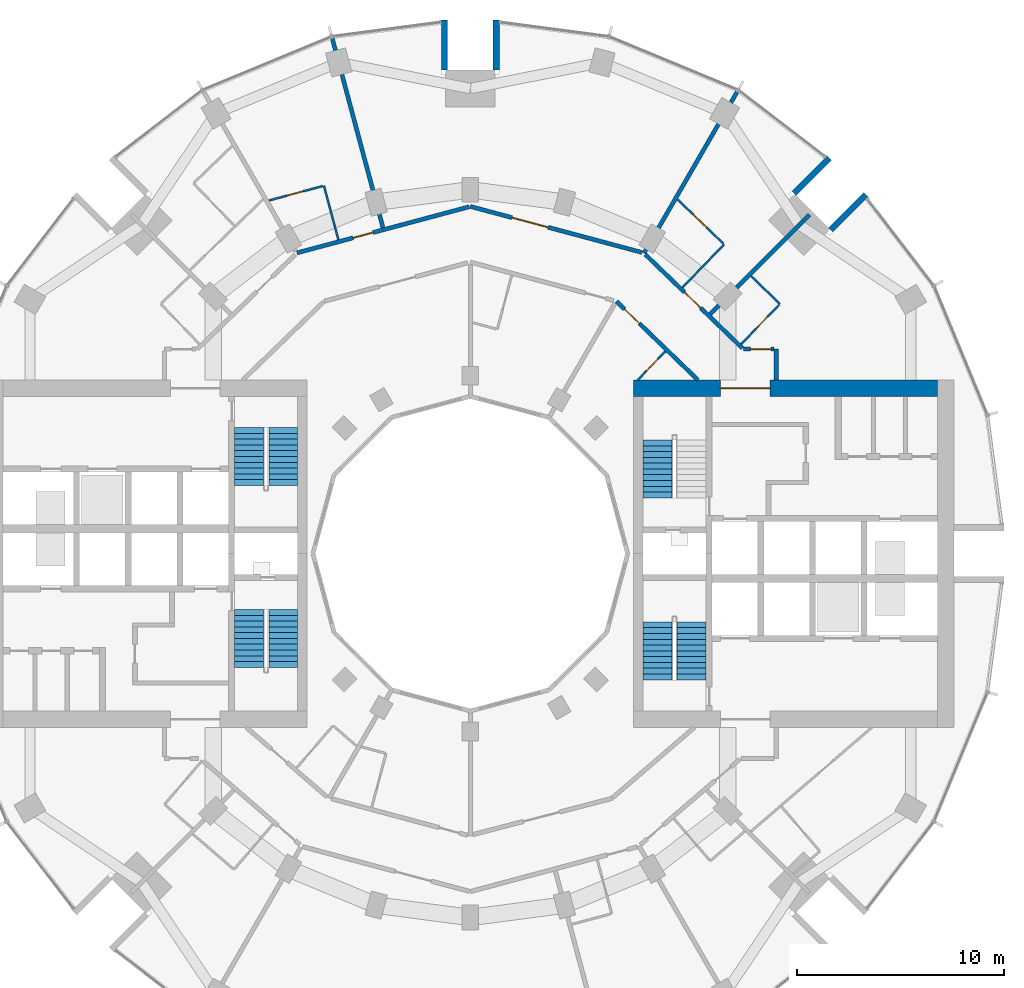
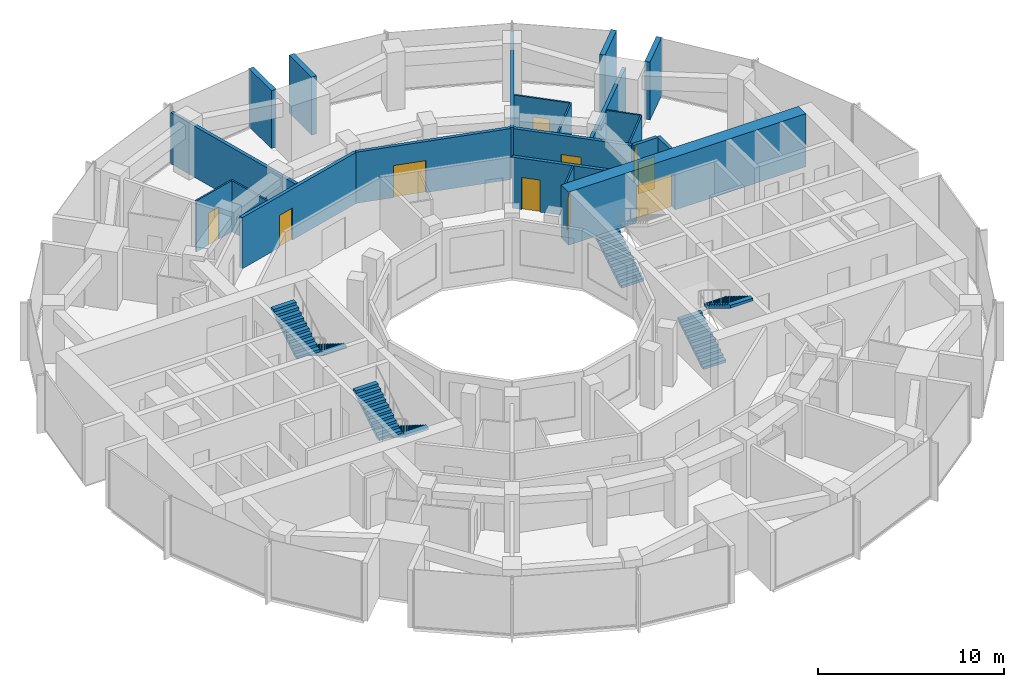
# One storey, part 12 of 15: 21 walls, 10 doors, 7 stair flights, 10 openings, 4 elements without a shape of their own.
"""IFC4 building model written with IfcOpenShell, lengths in metres."""

from ifc_helpers import new_model, si_unit, direction, frame, frame_2d, origin, place, context, subcontext, project, spatial, polyline, rectangle, outline, extrude, material, layer, layer_set, type_object, element, fill, aggregate, save


model = new_model("IFC4")

# Units and contexts
model_context = context("Model", 3, precision=1e-05, world=origin(), true_north=direction((0.0, 1.0)))
body_context = subcontext(model_context, "Body", "Model", "MODEL_VIEW")
ifc_project = project(units=[si_unit("LENGTHUNIT", "METRE"), si_unit("AREAUNIT", "SQUARE_METRE"), si_unit("VOLUMEUNIT", "CUBIC_METRE"), si_unit("PLANEANGLEUNIT", "RADIAN"), si_unit("MASSUNIT", "GRAM", prefix="KILO")], contexts=[model_context])

# Site, building, storey
site_placement = place(None, origin())
site = spatial("IfcSite", under=ifc_project, at=site_placement, CompositionType="ELEMENT")
building_placement = place(site_placement, origin())
building = spatial("IfcBuilding", under=site, at=building_placement, Name="Torre Brocal", CompositionType="ELEMENT")
storey_placement = place(building_placement, frame((0.0, 0.0, 93.800048828125)))
storey = spatial("IfcBuildingStorey", under=building, at=storey_placement, Name="L21", CompositionType="ELEMENT", Elevation=93.800048828125)

# Wall, opening, door
ifc_material_1 = material(Name="Concrete C80", Category="concrete")
ifc_layer_1 = layer(ifc_material_1, 0.800048828125)
ifc_layer_set_1 = layer_set([ifc_layer_1], Name="Concrete C80")
wall_type_1 = type_object("IfcWallType", Name="CORE WALL 800 C80", PredefinedType="SHEAR", material=ifc_layer_set_1)
wall_1_placement = place(storey_placement, frame((87.89990234375, 83.0, 0.0), z_axis=(0.0, 0.0, 1.0), x_axis=(1.0, 0.0, 0.0)))
wall_1 = element("IfcWall", 1, at=wall_1_placement, inside=storey, type_object=wall_type_1, Name="Wall CW800-80", PredefinedType="SHEAR", context=body_context, shape_type="SweptSolid", body=[
    extrude(rectangle(XDim=14.7001953125, YDim=0.800048828125, at=frame_2d((7.35009765625, 0.0))), origin(), (0.0, 0.0, 1.0), 3.47998046875),
])
opening_1_placement = place(wall_1_placement, frame((4.199951171875, 0.0, 0.0)))
opening_1 = element("IfcOpeningElement", 2, at=opening_1_placement, cuts=wall_1, Name="Opening E-D27", PredefinedType="OPENING", context=body_context, shape_type="SweptSolid", body=[
    extrude(rectangle(XDim=2.39990234375, YDim=2.39990234375, at=frame_2d((1.199951171875, 1.199951171875))), frame((0.0, 0.409912109375, 0.0), z_axis=(0.0, -1.0, 0.0), x_axis=(1.0, 0.0, 0.0)), (0.0, 0.0, 1.0), 0.820068359375),
])
ifc_material_2 = material(Name="Steel A653", Category="steel")
door_type_1 = type_object("IfcDoorType", Name="DOUBLE FIRE DOOR FD90 2400X2400", OperationType="DOUBLE_DOOR_SINGLE_SWING", PredefinedType="DOOR", material=ifc_material_2)
door_1_placement = place(opening_1_placement, frame((2.39990234375, 0.0, 0.0), z_axis=(0.0, 0.0, 1.0), x_axis=(-1.0, 0.0, 0.0)))
door_1 = element("IfcDoor", 3, at=door_1_placement, inside=storey, type_object=door_type_1, Name="Door E-D27", OperationType="DOUBLE_DOOR_SINGLE_SWING", OverallHeight=2.39990234375, OverallWidth=2.39990234375, PredefinedType="DOOR", context=body_context, shape_type="SweptSolid", body=[
    extrude(rectangle(XDim=2.39990234375, YDim=2.39990234375, at=frame_2d((1.199951171875, 1.199951171875))), frame((0.0, 0.02490234375, 0.0), z_axis=(0.0, -1.0, 0.0), x_axis=(1.0, 0.0, 0.0)), (0.0, 0.0, 1.0), 0.050048828125),
])
fill(opening_1, door_1)

# Walls
ifc_material_3 = material(Name="Concrete C80", Category="concrete")
ifc_layer_2 = layer(ifc_material_3, 0.300048828125)
ifc_layer_set_2 = layer_set([ifc_layer_2], Name="Concrete C80")
wall_type_2 = type_object("IfcWallType", Name="NOTCH RETURN WALL 300 C80", PredefinedType="NOTDEFINED", material=ifc_layer_set_2)
for number, where, z_axis, x_axis, name in (
    (4, (97.43017578125, 90.662353515625, 0.0), (0.0, 0.0, 1.0), (0.707106781187, 0.707106781187, 0.0), "NOTCH RETURN WALL"),
    (5, (95.662353515625, 92.43017578125, 0.0), (0.0, 0.0, 1.0), (0.707106781187, 0.707106781187, 0.0), "NOTCH RETURN WALL"),
    (6, (81.25, 98.39990234375, 0.0), (0.0, 0.0, 1.0), (0.0, 1.0, 0.0), "NOTCH RETURN WALL"),
    (7, (78.75, 98.39990234375, 0.0), (0.0, 0.0, 1.0), (0.0, 1.0, 0.0), "NOTCH RETURN WALL"),
):
    element("IfcWall", number, at=place(storey_placement, frame(where, z_axis=z_axis, x_axis=x_axis)), inside=storey, type_object=wall_type_2, Name=name, PredefinedType="NOTDEFINED", context=body_context, shape_type="SweptSolid", body=[
        extrude(rectangle(XDim=2.415771484375, YDim=0.300048828125, at=frame_2d((1.2080078125, 0.0))), origin(), (0.0, 0.0, 1.0), 3.800048828125),
    ])

# Wall, opening, door
ifc_material_4 = material(Name="Gypsum board", Category="Gypsum")
ifc_layer_3 = layer(ifc_material_4, 0.10009765625)
ifc_layer_set_3 = layer_set([ifc_layer_3], Name="Gypsum board")
wall_type_3 = type_object("IfcWallType", Name="PARTITION 100", PredefinedType="PARTITIONING", material=ifc_layer_set_3)
wall_2_placement = place(storey_placement, frame((70.267822265625, 92.087158203125, 0.0), z_axis=(0.0, 0.0, 1.0), x_axis=(0.965937937835, 0.258773839966, 0.0)))
wall_2 = element("IfcWall", 8, at=wall_2_placement, inside=storey, type_object=wall_type_3, Name="BATHROOM WALL", PredefinedType="PARTITIONING", context=body_context, shape_type="SweptSolid", body=[
    extrude(rectangle(XDim=2.693603515625, YDim=0.10009765625, at=frame_2d((1.3466796875, 0.0))), origin(), (0.0, 0.0, 1.0), 3.349853515625),
])
opening_2_placement = place(wall_2_placement, frame((0.911865234375, 0.0, 0.0)))
opening_2 = element("IfcOpeningElement", 9, at=opening_2_placement, cuts=wall_2, Name="Opening H06-D07", PredefinedType="OPENING", context=body_context, shape_type="SweptSolid", body=[
    extrude(rectangle(XDim=0.800048828125, YDim=2.10009765625, at=frame_2d((0.39990234375, 1.050048828125))), frame((0.0, 0.06005859375, 0.0), z_axis=(0.0, -1.0, 0.0), x_axis=(1.0, 0.0, 0.0)), (0.0, 0.0, 1.0), 0.1201171875),
])
ifc_material_5 = material(Name="Timber", Category="wood")
door_type_2 = type_object("IfcDoorType", Name="BATHROOM DOOR 800X2100", OperationType="SINGLE_SWING_LEFT", PredefinedType="DOOR", material=ifc_material_5)
door_2_placement = place(opening_2_placement, frame((0.800048828125, 0.0, 0.0), z_axis=(0.0, 0.0, 1.0), x_axis=(-1.0, 0.0, 0.0)))
door_2 = element("IfcDoor", 10, at=door_2_placement, inside=storey, type_object=door_type_2, Name="H06-D07", OperationType="SINGLE_SWING_RIGHT", OverallHeight=2.10009765625, OverallWidth=0.800048828125, PredefinedType="DOOR", context=body_context, shape_type="SweptSolid", body=[
    extrude(rectangle(XDim=0.800048828125, YDim=2.10009765625, at=frame_2d((0.39990234375, 1.050048828125))), frame((0.0, 0.02490234375, 0.0), z_axis=(0.0, -1.0, 0.0), x_axis=(1.0, 0.0, 0.0)), (0.0, 0.0, 1.0), 0.050048828125),
])
fill(opening_2, door_2)

# Wall
wall_3_placement = place(storey_placement, frame((72.91796875, 92.797119140625, 0.0), z_axis=(0.0, 0.0, 1.0), x_axis=(0.25867580527, -0.965964195904, 0.0)))
element("IfcWall", 11, at=wall_3_placement, inside=storey, type_object=wall_type_3, Name="BATHROOM WALL", PredefinedType="PARTITIONING", context=body_context, shape_type="SweptSolid", body=[
    extrude(rectangle(XDim=2.69921875, YDim=0.10009765625, at=frame_2d((1.349609375, 0.0))), origin(), (0.0, 0.0, 1.0), 3.349853515625),
])

# Wall, opening, door
wall_4_placement = place(storey_placement, frame((88.094970703125, 83.39990234375, 0.0), z_axis=(0.0, 0.0, 1.0), x_axis=(0.694447472534, 0.719543402368, 0.0)))
wall_4 = element("IfcWall", 12, at=wall_4_placement, inside=storey, type_object=wall_type_3, Name="BATHROOM WALL", PredefinedType="PARTITIONING", context=body_context, shape_type="SweptSolid", body=[
    extrude(rectangle(XDim=1.92626953125, YDim=0.10009765625, at=frame_2d((0.963134765625, 0.0))), origin(), (0.0, 0.0, 1.0), 3.349853515625),
])
opening_3_placement = place(wall_4_placement, frame((0.613037109375, 0.0, 0.0)))
opening_3 = element("IfcOpeningElement", 13, at=opening_3_placement, cuts=wall_4, Name="Opening H06-D14", PredefinedType="OPENING", context=body_context, shape_type="SweptSolid", body=[
    extrude(rectangle(XDim=0.800048828125, YDim=2.10009765625, at=frame_2d((0.39990234375, 1.050048828125))), frame((0.0, 0.06005859375, 0.0), z_axis=(0.0, -1.0, 0.0), x_axis=(1.0, 0.0, 0.0)), (0.0, 0.0, 1.0), 0.1201171875),
])
door_3_placement = place(opening_3_placement, frame((0.800048828125, 0.0, 0.0), z_axis=(0.0, 0.0, 1.0), x_axis=(-1.0, 0.0, 0.0)))
door_3 = element("IfcDoor", 14, at=door_3_placement, inside=storey, type_object=door_type_2, Name="H06-D14", OperationType="SINGLE_SWING_LEFT", OverallHeight=2.10009765625, OverallWidth=0.800048828125, PredefinedType="DOOR", context=body_context, shape_type="SweptSolid", body=[
    extrude(rectangle(XDim=0.800048828125, YDim=2.10009765625, at=frame_2d((0.39990234375, 1.050048828125))), frame((0.0, 0.02490234375, 0.0), z_axis=(0.0, -1.0, 0.0), x_axis=(1.0, 0.0, 0.0)), (0.0, 0.0, 1.0), 0.050048828125),
])
fill(opening_3, door_3)

wall_5_placement = place(storey_placement, frame((90.02734375, 92.1337890625, 0.0), z_axis=(0.0, 0.0, 1.0), x_axis=(0.719415132118, -0.694580353652, 0.0)))
wall_5 = element("IfcWall", 15, at=wall_5_placement, inside=storey, type_object=wall_type_3, Name="BATHROOM WALL", PredefinedType="PARTITIONING", context=body_context, shape_type="SweptSolid", body=[
    extrude(rectangle(XDim=3.076904296875, YDim=0.10009765625, at=frame_2d((1.53857421875, 0.0))), origin(), (0.0, 0.0, 1.0), 3.349853515625),
])
opening_4_placement = place(wall_5_placement, frame((1.053466796875, 0.0, 0.0)))
opening_4 = element("IfcOpeningElement", 16, at=opening_4_placement, cuts=wall_5, Name="Opening H06-D04", PredefinedType="OPENING", context=body_context, shape_type="SweptSolid", body=[
    extrude(rectangle(XDim=0.89990234375, YDim=2.10009765625, at=frame_2d((0.449951171875, 1.050048828125))), frame((0.0, 0.06005859375, 0.0), z_axis=(0.0, -1.0, 0.0), x_axis=(1.0, 0.0, 0.0)), (0.0, 0.0, 1.0), 0.1201171875),
])
ifc_material_6 = material(Name="Timber", Category="wood")
door_type_3 = type_object("IfcDoorType", Name="ACCESSIBLE BATHROOM DOOR 900X2100", OperationType="SINGLE_SWING_LEFT", PredefinedType="DOOR", material=ifc_material_6)
door_4_placement = place(opening_4_placement, frame((0.89990234375, 0.0, 0.0), z_axis=(0.0, 0.0, 1.0), x_axis=(-1.0, 0.0, 0.0)))
door_4 = element("IfcDoor", 17, at=door_4_placement, inside=storey, type_object=door_type_3, Name="H06-D04", OperationType="SINGLE_SWING_RIGHT", OverallHeight=2.10009765625, OverallWidth=0.89990234375, PredefinedType="DOOR", context=body_context, shape_type="SweptSolid", body=[
    extrude(rectangle(XDim=0.89990234375, YDim=2.10009765625, at=frame_2d((0.449951171875, 1.050048828125))), frame((0.0, 0.02490234375, 0.0), z_axis=(0.0, -1.0, 0.0), x_axis=(1.0, 0.0, 0.0)), (0.0, 0.0, 1.0), 0.050048828125),
])
fill(opening_4, door_4)

# Wall
wall_6_placement = place(storey_placement, frame((90.263427734375, 87.8759765625, 0.0), z_axis=(0.0, 0.0, 1.0), x_axis=(0.694534400859, 0.719459495749, 0.0)))
element("IfcWall", 18, at=wall_6_placement, inside=storey, type_object=wall_type_3, Name="BATHROOM WALL", PredefinedType="PARTITIONING", context=body_context, shape_type="SweptSolid", body=[
    extrude(rectangle(XDim=2.8994140625, YDim=0.10009765625, at=frame_2d((1.44970703125, 0.0))), origin(), (0.0, 0.0, 1.0), 3.349853515625),
])

# Wall, opening, door
wall_7_placement = place(storey_placement, frame((93.103515625, 85.135986328125, 0.0), z_axis=(0.0, 0.0, 1.0), x_axis=(0.694324808789, 0.719661767708, 0.0)))
wall_7 = element("IfcWall", 19, at=wall_7_placement, inside=storey, type_object=wall_type_3, Name="BATHROOM WALL", PredefinedType="PARTITIONING", context=body_context, shape_type="SweptSolid", body=[
    extrude(rectangle(XDim=2.64990234375, YDim=0.10009765625, at=frame_2d((1.324951171875, 0.0))), origin(), (0.0, 0.0, 1.0), 3.349853515625),
])
opening_5_placement = place(wall_7_placement, frame((1.0498046875, 0.0, 0.0)))
opening_5 = element("IfcOpeningElement", 20, at=opening_5_placement, cuts=wall_7, Name="Opening H06-D02", PredefinedType="OPENING", context=body_context, shape_type="SweptSolid", body=[
    extrude(rectangle(XDim=0.800048828125, YDim=2.10009765625, at=frame_2d((0.39990234375, 1.050048828125))), frame((0.0, 0.06005859375, 0.0), z_axis=(0.0, -1.0, 0.0), x_axis=(1.0, 0.0, 0.0)), (0.0, 0.0, 1.0), 0.1201171875),
])
door_5_placement = place(opening_5_placement, origin())
door_5 = element("IfcDoor", 21, at=door_5_placement, inside=storey, type_object=door_type_2, Name="H06-D02", OperationType="SINGLE_SWING_RIGHT", OverallHeight=2.10009765625, OverallWidth=0.800048828125, PredefinedType="DOOR", context=body_context, shape_type="SweptSolid", body=[
    extrude(rectangle(XDim=0.800048828125, YDim=2.10009765625, at=frame_2d((0.39990234375, 1.050048828125))), frame((0.0, 0.02490234375, 0.0), z_axis=(0.0, -1.0, 0.0), x_axis=(1.0, 0.0, 0.0)), (0.0, 0.0, 1.0), 0.050048828125),
])
fill(opening_5, door_5)

# Wall
wall_8_placement = place(storey_placement, frame((93.582275390625, 88.425537109375, 0.0), z_axis=(0.0, 0.0, 1.0), x_axis=(0.719707242969, -0.694277670977, 0.0)))
element("IfcWall", 22, at=wall_8_placement, inside=storey, type_object=wall_type_3, Name="BATHROOM WALL", PredefinedType="PARTITIONING", context=body_context, shape_type="SweptSolid", body=[
    extrude(rectangle(XDim=1.939453125, YDim=0.10009765625, at=frame_2d((0.9697265625, 0.0))), origin(), (0.0, 0.0, 1.0), 3.349853515625),
])

# Wall, opening, door
ifc_material_7 = material(Name="Gypsum board", Category="Gypsum")
ifc_layer_4 = layer(ifc_material_7, 0.199951171875)
ifc_layer_set_4 = layer_set([ifc_layer_4], Name="Gypsum board")
wall_type_4 = type_object("IfcWallType", Name="PARTITION 200 EI60", PredefinedType="PARTITIONING", material=ifc_layer_set_4)
wall_9_placement = place(storey_placement, frame((71.614013671875, 89.549560546875, 0.0), z_axis=(0.0, 0.0, 1.0), x_axis=(0.965982378603, 0.258607896685, 0.0)))
wall_9 = element("IfcWall", 23, at=wall_9_placement, inside=storey, type_object=wall_type_4, Name="GUESTROOM CORRIDOR WALL", PredefinedType="PARTITIONING", context=body_context, shape_type="SweptSolid", body=[
    extrude(rectangle(XDim=8.631591796875, YDim=0.199951171875, at=frame_2d((4.31591796875, 0.0))), origin(), (0.0, 0.0, 1.0), 3.349853515625),
])
opening_6_placement = place(wall_9_placement, frame((2.804443359375, 0.0, 0.0)))
opening_6 = element("IfcOpeningElement", 24, at=opening_6_placement, cuts=wall_9, Name="Opening H06-D06", PredefinedType="OPENING", context=body_context, shape_type="SweptSolid", body=[
    extrude(rectangle(XDim=1.0, YDim=2.10009765625, at=frame_2d((0.5, 1.050048828125))), frame((0.0, 0.10986328125, 0.0), z_axis=(0.0, -1.0, 0.0), x_axis=(1.0, 0.0, 0.0)), (0.0, 0.0, 1.0), 0.219970703125),
])
ifc_material_8 = material(Name="Timber", Category="wood")
door_type_4 = type_object("IfcDoorType", Name="FLAT ENTRY DOOR FD30S 1000X2100", OperationType="SINGLE_SWING_RIGHT", PredefinedType="DOOR", material=ifc_material_8)
door_6_placement = place(opening_6_placement, origin())
door_6 = element("IfcDoor", 25, at=door_6_placement, inside=storey, type_object=door_type_4, Name="H06-D06", OperationType="SINGLE_SWING_RIGHT", OverallHeight=2.10009765625, OverallWidth=1.0, PredefinedType="DOOR", context=body_context, shape_type="SweptSolid", body=[
    extrude(rectangle(XDim=1.0, YDim=2.10009765625, at=frame_2d((0.5, 1.050048828125))), frame((0.0, 0.02490234375, 0.0), z_axis=(0.0, -1.0, 0.0), x_axis=(1.0, 0.0, 0.0)), (0.0, 0.0, 1.0), 0.050048828125),
])
fill(opening_6, door_6)

# Wall
wall_10_placement = place(storey_placement, frame((73.3232421875, 99.91845703125, 0.0), z_axis=(0.0, 0.0, 1.0), x_axis=(0.258812513968, -0.965927576278, 0.0)))
element("IfcWall", 26, at=wall_10_placement, inside=storey, type_object=wall_type_4, Name="PARTY PARTITION", PredefinedType="PARTITIONING", context=body_context, shape_type="SweptSolid", body=[
    extrude(rectangle(XDim=9.4736328125, YDim=0.199951171875, at=frame_2d((4.73681640625, 0.0))), origin(), (0.0, 0.0, 1.0), 3.349853515625),
])

# Wall, opening, door
wall_11_placement = place(storey_placement, frame((80.0, 91.796142578125, 0.0), z_axis=(0.0, 0.0, 1.0), x_axis=(0.965917643923, -0.258849580177, 0.0)))
wall_11 = element("IfcWall", 27, at=wall_11_placement, inside=storey, type_object=wall_type_4, Name="CORRIDOR WALL", PredefinedType="PARTITIONING", context=body_context, shape_type="SweptSolid", body=[
    extrude(rectangle(XDim=8.601806640625, YDim=0.199951171875, at=frame_2d((4.30078125, 0.0))), origin(), (0.0, 0.0, 1.0), 3.349853515625),
])
opening_7_placement = place(wall_11_placement, frame((2.0908203125, 0.0, 0.0)))
opening_7 = element("IfcOpeningElement", 28, at=opening_7_placement, cuts=wall_11, Name="Opening H06-D05", PredefinedType="OPENING", context=body_context, shape_type="SweptSolid", body=[
    extrude(rectangle(XDim=1.800048828125, YDim=2.10009765625, at=frame_2d((0.89990234375, 1.050048828125))), frame((0.0, 0.10986328125, 0.0), z_axis=(0.0, -1.0, 0.0), x_axis=(1.0, 0.0, 0.0)), (0.0, 0.0, 1.0), 0.219970703125),
])
ifc_material_9 = material(Name="Timber", Category="wood")
door_type_5 = type_object("IfcDoorType", Name="DOUBLE DOOR 1800X2100", OperationType="DOUBLE_DOOR_SINGLE_SWING", PredefinedType="DOOR", material=ifc_material_9)
door_7_placement = place(opening_7_placement, origin())
door_7 = element("IfcDoor", 29, at=door_7_placement, inside=storey, type_object=door_type_5, Name="H06-D05", OperationType="DOUBLE_DOOR_SINGLE_SWING", OverallHeight=2.10009765625, OverallWidth=1.800048828125, PredefinedType="DOOR", context=body_context, shape_type="SweptSolid", body=[
    extrude(rectangle(XDim=1.800048828125, YDim=2.10009765625, at=frame_2d((0.89990234375, 1.050048828125))), frame((0.0, 0.02490234375, 0.0), z_axis=(0.0, -1.0, 0.0), x_axis=(1.0, 0.0, 0.0)), (0.0, 0.0, 1.0), 0.050048828125),
])
fill(opening_7, door_7)

wall_12_placement = place(storey_placement, frame((87.06396484375, 87.2109375, 0.0), z_axis=(0.0, 0.0, 1.0), x_axis=(0.719540958932, -0.694450004262, 0.0)))
wall_12 = element("IfcWall", 30, at=wall_12_placement, inside=storey, type_object=wall_type_4, Name="GUESTROOM CORRIDOR WALL", PredefinedType="PARTITIONING", context=body_context, shape_type="SweptSolid", body=[
    extrude(rectangle(XDim=5.48779296875, YDim=0.199951171875, at=frame_2d((2.743896484375, 0.0))), origin(), (0.0, 0.0, 1.0), 3.349853515625),
])
opening_8_placement = place(wall_12_placement, frame((0.550048828125, 0.0, 0.0)))
opening_8 = element("IfcOpeningElement", 31, at=opening_8_placement, cuts=wall_12, Name="Opening H06-D13", PredefinedType="OPENING", context=body_context, shape_type="SweptSolid", body=[
    extrude(rectangle(XDim=1.0, YDim=2.10009765625, at=frame_2d((0.5, 1.050048828125))), frame((0.0, 0.10986328125, 0.0), z_axis=(0.0, -1.0, 0.0), x_axis=(1.0, 0.0, 0.0)), (0.0, 0.0, 1.0), 0.219970703125),
])
door_8_placement = place(opening_8_placement, frame((1.0, 0.0, 0.0), z_axis=(0.0, 0.0, 1.0), x_axis=(-1.0, 0.0, 0.0)))
door_8 = element("IfcDoor", 32, at=door_8_placement, inside=storey, type_object=door_type_4, Name="H06-D13", OperationType="SINGLE_SWING_RIGHT", OverallHeight=2.10009765625, OverallWidth=1.0, PredefinedType="DOOR", context=body_context, shape_type="SweptSolid", body=[
    extrude(rectangle(XDim=1.0, YDim=2.10009765625, at=frame_2d((0.5, 1.050048828125))), frame((0.0, 0.02490234375, 0.0), z_axis=(0.0, -1.0, 0.0), x_axis=(1.0, 0.0, 0.0)), (0.0, 0.0, 1.0), 0.050048828125),
])
fill(opening_8, door_8)

wall_13_placement = place(storey_placement, frame((88.46533203125, 89.472900390625, 0.0), z_axis=(0.0, 0.0, 1.0), x_axis=(0.719474304909, -0.694519059908, 0.0)))
wall_13 = element("IfcWall", 33, at=wall_13_placement, inside=storey, type_object=wall_type_4, Name="GUESTROOM CORRIDOR WALL", PredefinedType="PARTITIONING", context=body_context, shape_type="SweptSolid", body=[
    extrude(rectangle(XDim=6.525390625, YDim=0.199951171875, at=frame_2d((3.2626953125, 0.0))), origin(), (0.0, 0.0, 1.0), 3.349853515625),
])
opening_9_placement = place(wall_13_placement, frame((2.6328125, 0.0, 0.0)))
opening_9 = element("IfcOpeningElement", 34, at=opening_9_placement, cuts=wall_13, Name="Opening H06-D03", PredefinedType="OPENING", context=body_context, shape_type="SweptSolid", body=[
    extrude(rectangle(XDim=1.10009765625, YDim=2.10009765625, at=frame_2d((0.550048828125, 1.050048828125))), frame((0.0, 0.10986328125, 0.0), z_axis=(0.0, -1.0, 0.0), x_axis=(1.0, 0.0, 0.0)), (0.0, 0.0, 1.0), 0.219970703125),
])
ifc_material_10 = material(Name="Timber", Category="wood")
door_type_6 = type_object("IfcDoorType", Name="ACCESSIBLE ENTRY DOOR FD30S 1100X2100", OperationType="SINGLE_SWING_RIGHT", PredefinedType="DOOR", material=ifc_material_10)
door_9_placement = place(opening_9_placement, origin())
door_9 = element("IfcDoor", 35, at=door_9_placement, inside=storey, type_object=door_type_6, Name="H06-D03", OperationType="SINGLE_SWING_LEFT", OverallHeight=2.10009765625, OverallWidth=1.10009765625, PredefinedType="DOOR", context=body_context, shape_type="SweptSolid", body=[
    extrude(rectangle(XDim=1.10009765625, YDim=2.10009765625, at=frame_2d((0.550048828125, 1.050048828125))), frame((0.0, 0.02490234375, 0.0), z_axis=(0.0, -1.0, 0.0), x_axis=(1.0, 0.0, 0.0)), (0.0, 0.0, 1.0), 0.050048828125),
])
fill(opening_9, door_9)

# Walls
wall_14_placement = place(storey_placement, frame((88.400146484375, 89.538330078125, 0.0), z_axis=(0.0, 0.0, 1.0), x_axis=(0.500234695877, 0.865889859648, 0.0)))
element("IfcWall", 36, at=wall_14_placement, inside=storey, type_object=wall_type_4, Name="BATHROOM WALL", PredefinedType="PARTITIONING", context=body_context, shape_type="SweptSolid", body=[
    extrude(rectangle(XDim=9.007080078125, YDim=0.199951171875, at=frame_2d((4.50341796875, 0.0))), origin(), (0.0, 0.0, 1.0), 3.349853515625),
])
wall_15_placement = place(storey_placement, frame((91.595458984375, 86.59033203125, 0.0), z_axis=(0.0, 0.0, 1.0), x_axis=(0.707232337591, 0.706981202484, 0.0)))
element("IfcWall", 37, at=wall_15_placement, inside=storey, type_object=wall_type_4, Name="BATHROOM WALL", PredefinedType="PARTITIONING", context=body_context, shape_type="SweptSolid", body=[
    extrude(rectangle(XDim=6.804931640625, YDim=0.199951171875, at=frame_2d((3.40234375, 0.0))), origin(), (0.0, 0.0, 1.0), 3.349853515625),
])

# Wall, opening, door
wall_16_placement = place(storey_placement, frame((93.2041015625, 84.89990234375, 0.0), z_axis=(0.0, 0.0, 1.0), x_axis=(1.0, 0.0, 0.0)))
wall_16 = element("IfcWall", 38, at=wall_16_placement, inside=storey, type_object=wall_type_4, Name="GUESTROOM CORRIDOR WALL", PredefinedType="PARTITIONING", context=body_context, shape_type="SweptSolid", body=[
    extrude(rectangle(XDim=1.495849609375, YDim=0.199951171875, at=frame_2d((0.748046875, 0.0))), origin(), (0.0, 0.0, 1.0), 3.349853515625),
])
opening_10_placement = place(wall_16_placement, frame((0.345947265625, 0.0, 0.0)))
opening_10 = element("IfcOpeningElement", 39, at=opening_10_placement, cuts=wall_16, Name="Opening H06-D01", PredefinedType="OPENING", context=body_context, shape_type="SweptSolid", body=[
    extrude(rectangle(XDim=1.0, YDim=2.10009765625, at=frame_2d((0.5, 1.050048828125))), frame((0.0, 0.10986328125, 0.0), z_axis=(0.0, -1.0, 0.0), x_axis=(1.0, 0.0, 0.0)), (0.0, 0.0, 1.0), 0.219970703125),
])
door_10_placement = place(opening_10_placement, origin())
door_10 = element("IfcDoor", 40, at=door_10_placement, inside=storey, type_object=door_type_4, Name="H06-D01", OperationType="SINGLE_SWING_RIGHT", OverallHeight=2.10009765625, OverallWidth=1.0, PredefinedType="DOOR", context=body_context, shape_type="SweptSolid", body=[
    extrude(rectangle(XDim=1.0, YDim=2.10009765625, at=frame_2d((0.5, 1.050048828125))), frame((0.0, 0.02490234375, 0.0), z_axis=(0.0, -1.0, 0.0), x_axis=(1.0, 0.0, 0.0)), (0.0, 0.0, 1.0), 0.050048828125),
])
fill(opening_10, door_10)

# Wall
wall_17_placement = place(storey_placement, frame((94.800048828125, 83.40087890625, 0.0), z_axis=(0.0, 0.0, 1.0), x_axis=(0.0, 1.0, 0.0)))
element("IfcWall", 41, at=wall_17_placement, inside=storey, type_object=wall_type_4, Name="GUESTROOM CORRIDOR WALL", PredefinedType="PARTITIONING", context=body_context, shape_type="SweptSolid", body=[
    extrude(rectangle(XDim=1.4990234375, YDim=0.199951171875, at=frame_2d((0.74951171875, 0.0))), origin(), (0.0, 0.0, 1.0), 3.349853515625),
])

# Stair, stair flight
ifc_material_11 = material(Name="Concrete C50", Category="concrete")
stair_type = type_object("IfcStairType", Name="EXIT STAIR", PredefinedType="HALF_TURN_STAIR", material=ifc_material_11)
stair_1_placement = place(storey_placement, origin())
stair_1 = element("IfcStair", 42, at=stair_1_placement, inside=storey, type_object=stair_type, Name="EXIT STAIR ST1", PredefinedType="HALF_TURN_STAIR")
ifc_material_12 = material(Name="Concrete C50", Category="concrete")
ifc_layer_5 = layer(ifc_material_12, 0.14990234375)
ifc_layer_set_5 = layer_set([ifc_layer_5], Name="Concrete C50")
stair_flight_type = type_object("IfcStairFlightType", Name="STAIR FLIGHT", PredefinedType="STRAIGHT", material=ifc_layer_set_5)
stair_flight_1_placement = place(storey_placement, frame((89.050048828125, 77.699951171875, 0.0), z_axis=(0.0, 0.0, 1.0), x_axis=(0.0, 1.0, 0.0)))
stair_flight_1 = element("IfcStairFlight", 43, at=stair_flight_1_placement, type_object=stair_flight_type, Name="ST1 flight 1", NumberOfRisers=11, NumberOfTreads=10, PredefinedType="STRAIGHT", RiserHeight=0.172727273, TreadLength=0.28, context=body_context, shape_type="SweptSolid", body=[
    extrude(outline(polyline([(0.0, 0.0), (0.0, 0.172607421875), (0.280029296875, 0.172607421875), (0.280029296875, 0.345458984375), (0.56005859375, 0.345458984375), (0.56005859375, 0.51806640625), (0.840087890625, 0.51806640625), (0.840087890625, 0.69091796875), (1.1201171875, 0.69091796875), (1.1201171875, 0.863525390625), (1.39990234375, 0.863525390625), (1.39990234375, 1.036376953125), (1.679931640625, 1.036376953125), (1.679931640625, 1.208984375), (1.9599609375, 1.208984375), (1.9599609375, 1.3818359375), (2.239990234375, 1.3818359375), (2.239990234375, 1.554443359375), (2.52001953125, 1.554443359375), (2.52001953125, 1.727294921875), (2.800048828125, 1.727294921875), (2.800048828125, 1.89990234375), (2.800048828125, 1.551025390625), (0.285400390625, 0.0), (0.0, 0.0)])), frame((0.0, 0.699951171875, 0.0), z_axis=(0.0, -1.0, 0.0), x_axis=(1.0, 0.0, 0.0)), (0.0, 0.0, 1.0), 1.39990234375),
])
aggregate(stair_1, [stair_flight_1])

# Stair, stair flights
stair_2_placement = place(storey_placement, origin())
stair_2 = element("IfcStair", 44, at=stair_2_placement, inside=storey, type_object=stair_type, Name="EXIT STAIR ST2", PredefinedType="HALF_TURN_STAIR")
stair_flight_2_placement = place(storey_placement, frame((89.050048828125, 68.89990234375, 0.0), z_axis=(0.0, 0.0, 1.0), x_axis=(0.0, 1.0, 0.0)))
stair_flight_2 = element("IfcStairFlight", 45, at=stair_flight_2_placement, type_object=stair_flight_type, Name="ST2 flight 1", NumberOfRisers=11, NumberOfTreads=10, PredefinedType="STRAIGHT", RiserHeight=0.172727273, TreadLength=0.28, context=body_context, shape_type="SweptSolid", body=[
    extrude(outline(polyline([(0.0, 0.0), (0.0, 0.172607421875), (0.280029296875, 0.172607421875), (0.280029296875, 0.345458984375), (0.56005859375, 0.345458984375), (0.56005859375, 0.51806640625), (0.840087890625, 0.51806640625), (0.840087890625, 0.69091796875), (1.1201171875, 0.69091796875), (1.1201171875, 0.863525390625), (1.39990234375, 0.863525390625), (1.39990234375, 1.036376953125), (1.679931640625, 1.036376953125), (1.679931640625, 1.208984375), (1.9599609375, 1.208984375), (1.9599609375, 1.3818359375), (2.239990234375, 1.3818359375), (2.239990234375, 1.554443359375), (2.52001953125, 1.554443359375), (2.52001953125, 1.727294921875), (2.800048828125, 1.727294921875), (2.800048828125, 1.89990234375), (2.800048828125, 1.551025390625), (0.285400390625, 0.0), (0.0, 0.0)])), frame((0.0, 0.699951171875, 0.0), z_axis=(0.0, -1.0, 0.0), x_axis=(1.0, 0.0, 0.0)), (0.0, 0.0, 1.0), 1.39990234375),
])
stair_flight_3_placement = place(storey_placement, frame((90.699951171875, 71.699951171875, 1.89990234375), z_axis=(0.0, 0.0, 1.0), x_axis=(0.0, -1.0, 0.0)))
stair_flight_3 = element("IfcStairFlight", 46, at=stair_flight_3_placement, type_object=stair_flight_type, Name="ST2 flight 2", NumberOfRisers=11, NumberOfTreads=10, PredefinedType="STRAIGHT", RiserHeight=0.172727273, TreadLength=0.28, context=body_context, shape_type="SweptSolid", body=[
    extrude(outline(polyline([(0.0, 0.0), (0.0, 0.172607421875), (0.280029296875, 0.172607421875), (0.280029296875, 0.345458984375), (0.56005859375, 0.345458984375), (0.56005859375, 0.51806640625), (0.840087890625, 0.51806640625), (0.840087890625, 0.69091796875), (1.1201171875, 0.69091796875), (1.1201171875, 0.863525390625), (1.39990234375, 0.863525390625), (1.39990234375, 1.036376953125), (1.679931640625, 1.036376953125), (1.679931640625, 1.208984375), (1.9599609375, 1.208984375), (1.9599609375, 1.3818359375), (2.239990234375, 1.3818359375), (2.239990234375, 1.554443359375), (2.52001953125, 1.554443359375), (2.52001953125, 1.727294921875), (2.800048828125, 1.727294921875), (2.800048828125, 1.89990234375), (2.800048828125, 1.551025390625), (0.285400390625, 0.0), (0.0, 0.0)])), frame((0.0, 0.699951171875, 0.0), z_axis=(0.0, -1.0, 0.0), x_axis=(1.0, 0.0, 0.0)), (0.0, 0.0, 1.0), 1.39990234375),
])
aggregate(stair_2, [stair_flight_2, stair_flight_3])

stair_3_placement = place(storey_placement, origin())
stair_3 = element("IfcStair", 47, at=stair_3_placement, inside=storey, type_object=stair_type, Name="EXIT STAIR ST3", PredefinedType="HALF_TURN_STAIR")
stair_flight_4_placement = place(storey_placement, frame((70.949951171875, 72.300048828125, 0.0), z_axis=(0.0, 0.0, 1.0), x_axis=(0.0, -1.0, 0.0)))
stair_flight_4 = element("IfcStairFlight", 48, at=stair_flight_4_placement, type_object=stair_flight_type, Name="ST3 flight 1", NumberOfRisers=11, NumberOfTreads=10, PredefinedType="STRAIGHT", RiserHeight=0.172727273, TreadLength=0.28, context=body_context, shape_type="SweptSolid", body=[
    extrude(outline(polyline([(0.0, 0.0), (0.0, 0.172607421875), (0.280029296875, 0.172607421875), (0.280029296875, 0.345458984375), (0.56005859375, 0.345458984375), (0.56005859375, 0.51806640625), (0.840087890625, 0.51806640625), (0.840087890625, 0.69091796875), (1.1201171875, 0.69091796875), (1.1201171875, 0.863525390625), (1.39990234375, 0.863525390625), (1.39990234375, 1.036376953125), (1.679931640625, 1.036376953125), (1.679931640625, 1.208984375), (1.9599609375, 1.208984375), (1.9599609375, 1.3818359375), (2.239990234375, 1.3818359375), (2.239990234375, 1.554443359375), (2.52001953125, 1.554443359375), (2.52001953125, 1.727294921875), (2.800048828125, 1.727294921875), (2.800048828125, 1.89990234375), (2.800048828125, 1.551025390625), (0.285400390625, 0.0), (0.0, 0.0)])), frame((0.0, 0.699951171875, 0.0), z_axis=(0.0, -1.0, 0.0), x_axis=(1.0, 0.0, 0.0)), (0.0, 0.0, 1.0), 1.39990234375),
])
stair_flight_5_placement = place(storey_placement, frame((69.300048828125, 69.5, 1.89990234375), z_axis=(0.0, 0.0, 1.0), x_axis=(0.0, 1.0, 0.0)))
stair_flight_5 = element("IfcStairFlight", 49, at=stair_flight_5_placement, type_object=stair_flight_type, Name="ST3 flight 2", NumberOfRisers=11, NumberOfTreads=10, PredefinedType="STRAIGHT", RiserHeight=0.172727273, TreadLength=0.28, context=body_context, shape_type="SweptSolid", body=[
    extrude(outline(polyline([(0.0, 0.0), (0.0, 0.172607421875), (0.280029296875, 0.172607421875), (0.280029296875, 0.345458984375), (0.56005859375, 0.345458984375), (0.56005859375, 0.51806640625), (0.840087890625, 0.51806640625), (0.840087890625, 0.69091796875), (1.1201171875, 0.69091796875), (1.1201171875, 0.863525390625), (1.39990234375, 0.863525390625), (1.39990234375, 1.036376953125), (1.679931640625, 1.036376953125), (1.679931640625, 1.208984375), (1.9599609375, 1.208984375), (1.9599609375, 1.3818359375), (2.239990234375, 1.3818359375), (2.239990234375, 1.554443359375), (2.52001953125, 1.554443359375), (2.52001953125, 1.727294921875), (2.800048828125, 1.727294921875), (2.800048828125, 1.89990234375), (2.800048828125, 1.551025390625), (0.285400390625, 0.0), (0.0, 0.0)])), frame((0.0, 0.699951171875, 0.0), z_axis=(0.0, -1.0, 0.0), x_axis=(1.0, 0.0, 0.0)), (0.0, 0.0, 1.0), 1.39990234375),
])
aggregate(stair_3, [stair_flight_4, stair_flight_5])

stair_4_placement = place(storey_placement, origin())
stair_4 = element("IfcStair", 50, at=stair_4_placement, inside=storey, type_object=stair_type, Name="EXIT STAIR ST4", PredefinedType="HALF_TURN_STAIR")
stair_flight_6_placement = place(storey_placement, frame((70.949951171875, 81.10009765625, 0.0), z_axis=(0.0, 0.0, 1.0), x_axis=(0.0, -1.0, 0.0)))
stair_flight_6 = element("IfcStairFlight", 51, at=stair_flight_6_placement, type_object=stair_flight_type, Name="ST4 flight 1", NumberOfRisers=11, NumberOfTreads=10, PredefinedType="STRAIGHT", RiserHeight=0.172727273, TreadLength=0.28, context=body_context, shape_type="SweptSolid", body=[
    extrude(outline(polyline([(0.0, 0.0), (0.0, 0.172607421875), (0.280029296875, 0.172607421875), (0.280029296875, 0.345458984375), (0.56005859375, 0.345458984375), (0.56005859375, 0.51806640625), (0.840087890625, 0.51806640625), (0.840087890625, 0.69091796875), (1.1201171875, 0.69091796875), (1.1201171875, 0.863525390625), (1.39990234375, 0.863525390625), (1.39990234375, 1.036376953125), (1.679931640625, 1.036376953125), (1.679931640625, 1.208984375), (1.9599609375, 1.208984375), (1.9599609375, 1.3818359375), (2.239990234375, 1.3818359375), (2.239990234375, 1.554443359375), (2.52001953125, 1.554443359375), (2.52001953125, 1.727294921875), (2.800048828125, 1.727294921875), (2.800048828125, 1.89990234375), (2.800048828125, 1.551025390625), (0.285400390625, 0.0), (0.0, 0.0)])), frame((0.0, 0.699951171875, 0.0), z_axis=(0.0, -1.0, 0.0), x_axis=(1.0, 0.0, 0.0)), (0.0, 0.0, 1.0), 1.39990234375),
])
stair_flight_7_placement = place(storey_placement, frame((69.300048828125, 78.300048828125, 1.89990234375), z_axis=(0.0, 0.0, 1.0), x_axis=(0.0, 1.0, 0.0)))
stair_flight_7 = element("IfcStairFlight", 52, at=stair_flight_7_placement, type_object=stair_flight_type, Name="ST4 flight 2", NumberOfRisers=11, NumberOfTreads=10, PredefinedType="STRAIGHT", RiserHeight=0.172727273, TreadLength=0.28, context=body_context, shape_type="SweptSolid", body=[
    extrude(outline(polyline([(0.0, 0.0), (0.0, 0.172607421875), (0.280029296875, 0.172607421875), (0.280029296875, 0.345458984375), (0.56005859375, 0.345458984375), (0.56005859375, 0.51806640625), (0.840087890625, 0.51806640625), (0.840087890625, 0.69091796875), (1.1201171875, 0.69091796875), (1.1201171875, 0.863525390625), (1.39990234375, 0.863525390625), (1.39990234375, 1.036376953125), (1.679931640625, 1.036376953125), (1.679931640625, 1.208984375), (1.9599609375, 1.208984375), (1.9599609375, 1.3818359375), (2.239990234375, 1.3818359375), (2.239990234375, 1.554443359375), (2.52001953125, 1.554443359375), (2.52001953125, 1.727294921875), (2.800048828125, 1.727294921875), (2.800048828125, 1.89990234375), (2.800048828125, 1.551025390625), (0.285400390625, 0.0), (0.0, 0.0)])), frame((0.0, 0.699951171875, 0.0), z_axis=(0.0, -1.0, 0.0), x_axis=(1.0, 0.0, 0.0)), (0.0, 0.0, 1.0), 1.39990234375),
])
aggregate(stair_4, [stair_flight_6, stair_flight_7])

save(model, "model.ifc")
